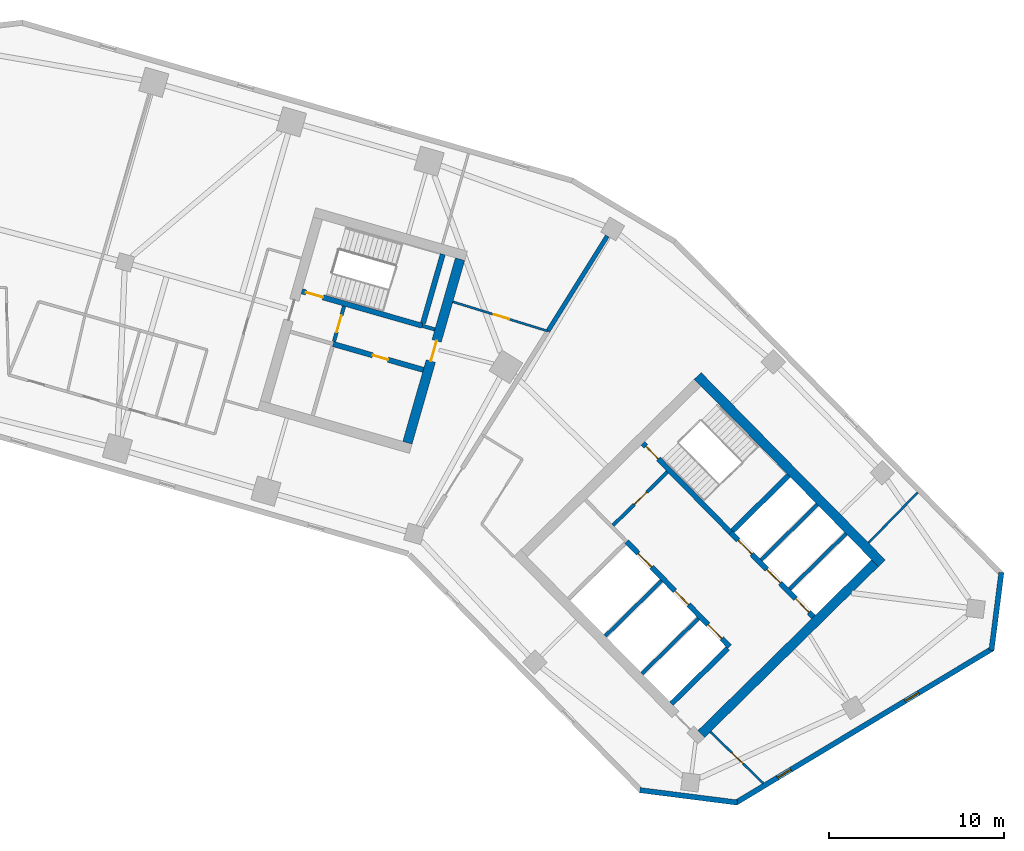
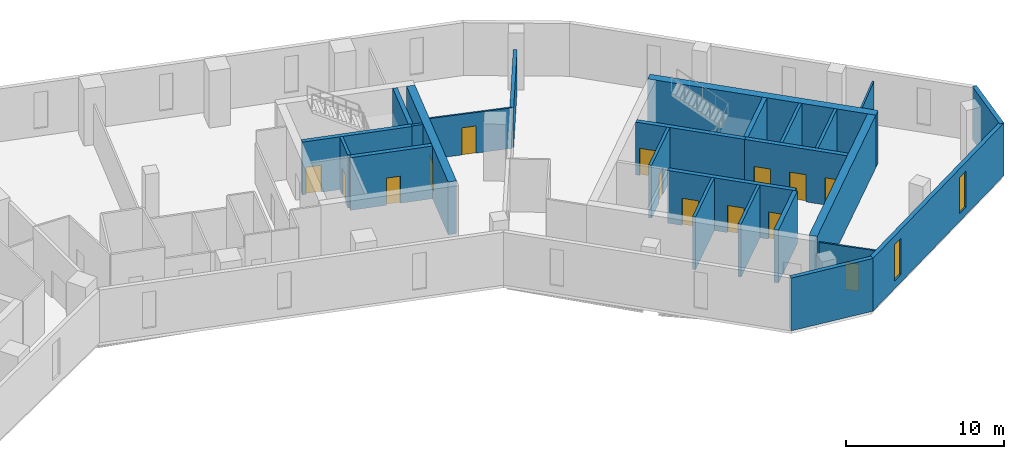
# One storey, part 6 of 10: 25 walls, 14 doors, 2 windows, 16 openings.
"""IFC4 building model written with IfcOpenShell, lengths in metres."""

from ifc_helpers import new_model, si_unit, direction, frame, frame_2d, origin, place, context, subcontext, project, spatial, rectangle, extrude, material, layer, layer_set, type_object, element, fill, save


model = new_model("IFC4")

# Units and contexts
model_context = context("Model", 3, precision=1e-05, world=origin(), true_north=direction((0.0, 1.0)))
body_context = subcontext(model_context, "Body", "Model", "MODEL_VIEW")
ifc_project = project(units=[si_unit("LENGTHUNIT", "METRE"), si_unit("AREAUNIT", "SQUARE_METRE"), si_unit("VOLUMEUNIT", "CUBIC_METRE"), si_unit("PLANEANGLEUNIT", "RADIAN"), si_unit("MASSUNIT", "GRAM", prefix="KILO")], contexts=[model_context])

# Site, building, storey
site_placement = place(None, origin())
site = spatial("IfcSite", under=ifc_project, at=site_placement, CompositionType="ELEMENT")
building_placement = place(site_placement, origin())
building = spatial("IfcBuilding", under=site, at=building_placement, Name="Binnacle Exchange Tower", CompositionType="ELEMENT")
storey_placement = place(building_placement, frame((0.0, 0.0, 110.300048828125)))
storey = spatial("IfcBuildingStorey", under=building, at=storey_placement, Name="L22", CompositionType="ELEMENT", Elevation=110.300048828125)

# Wall, openings, doors
ifc_material_1 = material(Name="Concrete C70/85", Category="concrete")
ifc_layer_1 = layer(ifc_material_1, 0.300048828125)
ifc_layer_set_1 = layer_set([ifc_layer_1], Name="Core wall - front 300")
wall_type_1 = type_object("IfcWallType", Name="Core wall - front 300", PredefinedType="SOLIDWALL", material=ifc_layer_set_1)
wall_1_placement = place(storey_placement, frame((37.8740234375, 41.41552734375, 0.0), z_axis=(0.0, 0.0, 1.0), x_axis=(0.700918271237, -0.71324159795, 0.0)))
wall_1 = element("IfcWall", 1, at=wall_1_placement, inside=storey, type_object=wall_type_1, Name="Core wall CRWB3", PredefinedType="SOLIDWALL", context=body_context, shape_type="SweptSolid", body=[
    extrude(rectangle(XDim=8.39990234375, YDim=0.300048828125, at=frame_2d((4.199951171875, 0.0))), origin(), (0.0, 0.0, 1.0), 4.079833984375),
])
opening_1_placement = place(wall_1_placement, frame((0.949951171875, 0.0, 0.0)))
opening_1 = element("IfcOpeningElement", 2, at=opening_1_placement, cuts=wall_1, Name="Opening LD15", PredefinedType="OPENING", context=body_context, shape_type="SweptSolid", body=[
    extrude(rectangle(XDim=1.10009765625, YDim=2.10009765625, at=frame_2d((0.550048828125, 1.050048828125))), frame((0.0, 0.159912109375, 0.0), z_axis=(0.0, -1.0, 0.0), x_axis=(1.0, 0.0, 0.0)), (0.0, 0.0, 1.0), 0.320068359375),
])
opening_2_placement = place(wall_1_placement, frame((3.949951171875, 0.0, 0.0)))
opening_2 = element("IfcOpeningElement", 3, at=opening_2_placement, cuts=wall_1, Name="Opening LD16", PredefinedType="OPENING", context=body_context, shape_type="SweptSolid", body=[
    extrude(rectangle(XDim=1.10009765625, YDim=2.10009765625, at=frame_2d((0.550048828125, 1.050048828125))), frame((0.0, 0.159912109375, 0.0), z_axis=(0.0, -1.0, 0.0), x_axis=(1.0, 0.0, 0.0)), (0.0, 0.0, 1.0), 0.320068359375),
])
opening_3_placement = place(wall_1_placement, frame((6.64990234375, 0.0, 0.0)))
opening_3 = element("IfcOpeningElement", 4, at=opening_3_placement, cuts=wall_1, Name="Opening LD4", PredefinedType="OPENING", context=body_context, shape_type="SweptSolid", body=[
    extrude(rectangle(XDim=1.10009765625, YDim=2.10009765625, at=frame_2d((0.550048828125, 1.050048828125))), frame((0.0, 0.159912109375, 0.0), z_axis=(0.0, -1.0, 0.0), x_axis=(1.0, 0.0, 0.0)), (0.0, 0.0, 1.0), 0.320068359375),
])
ifc_material_2 = material(Name="Steel door leaf", Category="steel")
door_type_1 = type_object("IfcDoorType", Name="Fire door - lift landing 1100", OperationType="NOTDEFINED", PredefinedType="DOOR", material=ifc_material_2)
door_1_placement = place(opening_1_placement, origin())
door_1 = element("IfcDoor", 5, at=door_1_placement, inside=storey, type_object=door_type_1, Name="Landing door LD15 L22", OperationType="DOUBLE_DOOR_SLIDING", OverallHeight=2.10009765625, OverallWidth=1.10009765625, PredefinedType="DOOR", context=body_context, shape_type="SweptSolid", body=[
    extrude(rectangle(XDim=1.10009765625, YDim=2.10009765625, at=frame_2d((0.550048828125, 1.050048828125))), frame((0.0, 0.02490234375, 0.0), z_axis=(0.0, -1.0, 0.0), x_axis=(1.0, 0.0, 0.0)), (0.0, 0.0, 1.0), 0.050048828125),
])
fill(opening_1, door_1)
door_2_placement = place(opening_2_placement, origin())
door_2 = element("IfcDoor", 6, at=door_2_placement, inside=storey, type_object=door_type_1, Name="Landing door LD16 L22", OperationType="DOUBLE_DOOR_SLIDING", OverallHeight=2.10009765625, OverallWidth=1.10009765625, PredefinedType="DOOR", context=body_context, shape_type="SweptSolid", body=[
    extrude(rectangle(XDim=1.10009765625, YDim=2.10009765625, at=frame_2d((0.550048828125, 1.050048828125))), frame((0.0, 0.02490234375, 0.0), z_axis=(0.0, -1.0, 0.0), x_axis=(1.0, 0.0, 0.0)), (0.0, 0.0, 1.0), 0.050048828125),
])
fill(opening_2, door_2)
door_3_placement = place(opening_3_placement, origin())
door_3 = element("IfcDoor", 7, at=door_3_placement, inside=storey, type_object=door_type_1, Name="Landing door LD4 L22", OperationType="DOUBLE_DOOR_SLIDING", OverallHeight=2.10009765625, OverallWidth=1.10009765625, PredefinedType="DOOR", context=body_context, shape_type="SweptSolid", body=[
    extrude(rectangle(XDim=1.10009765625, YDim=2.10009765625, at=frame_2d((0.550048828125, 1.050048828125))), frame((0.0, 0.02490234375, 0.0), z_axis=(0.0, -1.0, 0.0), x_axis=(1.0, 0.0, 0.0)), (0.0, 0.0, 1.0), 0.050048828125),
])
fill(opening_3, door_3)

wall_2_placement = place(storey_placement, frame((43.818603515625, 41.92919921875, 0.0), z_axis=(0.0, 0.0, 1.0), x_axis=(0.700931209592, -0.713228882912, 0.0)))
wall_2 = element("IfcWall", 8, at=wall_2_placement, inside=storey, type_object=wall_type_1, Name="Core wall CRWB5", PredefinedType="SOLIDWALL", context=body_context, shape_type="SweptSolid", body=[
    extrude(rectangle(XDim=6.75, YDim=0.300048828125, at=frame_2d((3.375, 0.0))), origin(), (0.0, 0.0, 1.0), 4.079833984375),
])
opening_4_placement = place(wall_2_placement, frame((0.614990234375, 0.0, 0.0)))
opening_4 = element("IfcOpeningElement", 9, at=opening_4_placement, cuts=wall_2, Name="Opening LD1", PredefinedType="OPENING", context=body_context, shape_type="SweptSolid", body=[
    extrude(rectangle(XDim=1.10009765625, YDim=2.10009765625, at=frame_2d((0.550048828125, 1.050048828125))), frame((0.0, 0.159912109375, 0.0), z_axis=(0.0, -1.0, 0.0), x_axis=(1.0, 0.0, 0.0)), (0.0, 0.0, 1.0), 0.320068359375),
])
opening_5_placement = place(wall_2_placement, frame((2.945068359375, 0.0, 0.0)))
opening_5 = element("IfcOpeningElement", 10, at=opening_5_placement, cuts=wall_2, Name="Opening LD2", PredefinedType="OPENING", context=body_context, shape_type="SweptSolid", body=[
    extrude(rectangle(XDim=1.10009765625, YDim=2.10009765625, at=frame_2d((0.550048828125, 1.050048828125))), frame((0.0, 0.159912109375, 0.0), z_axis=(0.0, -1.0, 0.0), x_axis=(1.0, 0.0, 0.0)), (0.0, 0.0, 1.0), 0.320068359375),
])
opening_6_placement = place(wall_2_placement, frame((5.280029296875, 0.0, 0.0)))
opening_6 = element("IfcOpeningElement", 11, at=opening_6_placement, cuts=wall_2, Name="Opening LD3", PredefinedType="OPENING", context=body_context, shape_type="SweptSolid", body=[
    extrude(rectangle(XDim=1.10009765625, YDim=2.10009765625, at=frame_2d((0.550048828125, 1.050048828125))), frame((0.0, 0.159912109375, 0.0), z_axis=(0.0, -1.0, 0.0), x_axis=(1.0, 0.0, 0.0)), (0.0, 0.0, 1.0), 0.320068359375),
])
door_4_placement = place(opening_4_placement, origin())
door_4 = element("IfcDoor", 12, at=door_4_placement, inside=storey, type_object=door_type_1, Name="Landing door LD1 L22", OperationType="DOUBLE_DOOR_SLIDING", OverallHeight=2.10009765625, OverallWidth=1.10009765625, PredefinedType="DOOR", context=body_context, shape_type="SweptSolid", body=[
    extrude(rectangle(XDim=1.10009765625, YDim=2.10009765625, at=frame_2d((0.550048828125, 1.050048828125))), frame((0.0, 0.02490234375, 0.0), z_axis=(0.0, -1.0, 0.0), x_axis=(1.0, 0.0, 0.0)), (0.0, 0.0, 1.0), 0.050048828125),
])
fill(opening_4, door_4)
door_5_placement = place(opening_5_placement, origin())
door_5 = element("IfcDoor", 13, at=door_5_placement, inside=storey, type_object=door_type_1, Name="Landing door LD2 L22", OperationType="DOUBLE_DOOR_SLIDING", OverallHeight=2.10009765625, OverallWidth=1.10009765625, PredefinedType="DOOR", context=body_context, shape_type="SweptSolid", body=[
    extrude(rectangle(XDim=1.10009765625, YDim=2.10009765625, at=frame_2d((0.550048828125, 1.050048828125))), frame((0.0, 0.02490234375, 0.0), z_axis=(0.0, -1.0, 0.0), x_axis=(1.0, 0.0, 0.0)), (0.0, 0.0, 1.0), 0.050048828125),
])
fill(opening_5, door_5)
door_6_placement = place(opening_6_placement, origin())
door_6 = element("IfcDoor", 14, at=door_6_placement, inside=storey, type_object=door_type_1, Name="Landing door LD3 L22", OperationType="DOUBLE_DOOR_SLIDING", OverallHeight=2.10009765625, OverallWidth=1.10009765625, PredefinedType="DOOR", context=body_context, shape_type="SweptSolid", body=[
    extrude(rectangle(XDim=1.10009765625, YDim=2.10009765625, at=frame_2d((0.550048828125, 1.050048828125))), frame((0.0, 0.02490234375, 0.0), z_axis=(0.0, -1.0, 0.0), x_axis=(1.0, 0.0, 0.0)), (0.0, 0.0, 1.0), 0.050048828125),
])
fill(opening_6, door_6)

# Wall
wall_3_placement = place(storey_placement, frame((40.445068359375, 32.1650390625, 0.0), z_axis=(0.0, 0.0, 1.0), x_axis=(0.713264577552, 0.700894886848, 0.0)))
element("IfcWall", 15, at=wall_3_placement, inside=storey, type_object=wall_type_1, Name="Core wall CRWB14", PredefinedType="SOLIDWALL", context=body_context, shape_type="SweptSolid", body=[
    extrude(rectangle(XDim=4.5, YDim=0.300048828125, at=frame_2d((2.25, 0.0))), origin(), (0.0, 0.0, 1.0), 4.079833984375),
])

# Wall, opening, door
wall_4_placement = place(storey_placement, frame((21.130859375, 52.6923828125, 0.0), z_axis=(0.0, 0.0, 1.0), x_axis=(0.961265220997, -0.27562506218, 0.0)))
wall_4 = element("IfcWall", 16, at=wall_4_placement, inside=storey, type_object=wall_type_1, Name="Core wall CRWD3", PredefinedType="SOLIDWALL", context=body_context, shape_type="SweptSolid", body=[
    extrude(rectangle(XDim=5.35009765625, YDim=0.300048828125, at=frame_2d((2.675048828125, 0.0))), origin(), (0.0, 0.0, 1.0), 4.079833984375),
])
opening_7_placement = place(wall_4_placement, frame((2.35009765625, 0.0, 0.0)))
opening_7 = element("IfcOpeningElement", 17, at=opening_7_placement, cuts=wall_4, Name="Opening DD10", PredefinedType="OPENING", context=body_context, shape_type="SweptSolid", body=[
    extrude(rectangle(XDim=0.89990234375, YDim=2.10009765625, at=frame_2d((0.449951171875, 1.050048828125))), frame((0.0, 0.159912109375, 0.0), z_axis=(0.0, -1.0, 0.0), x_axis=(1.0, 0.0, 0.0)), (0.0, 0.0, 1.0), 0.320068359375),
])
door_type_2 = type_object("IfcDoorType", Name="Fire door 900", OperationType="NOTDEFINED", PredefinedType="DOOR", material=ifc_material_2)
door_7_placement = place(opening_7_placement, frame((0.89990234375, 0.0, 0.0), z_axis=(0.0, 0.0, 1.0), x_axis=(-1.0, 0.0, 0.0)))
door_7 = element("IfcDoor", 18, at=door_7_placement, inside=storey, type_object=door_type_2, Name="Core room door PANTRY", OperationType="SINGLE_SWING_LEFT", OverallHeight=2.10009765625, OverallWidth=0.89990234375, PredefinedType="DOOR", context=body_context, shape_type="SweptSolid", body=[
    extrude(rectangle(XDim=0.89990234375, YDim=2.10009765625, at=frame_2d((0.449951171875, 1.050048828125))), frame((0.0, 0.02490234375, 0.0), z_axis=(0.0, -1.0, 0.0), x_axis=(1.0, 0.0, 0.0)), (0.0, 0.0, 1.0), 0.050048828125),
])
fill(opening_7, door_7)

# Walls
ifc_layer_2 = layer(ifc_material_1, 0.550048828125)
ifc_layer_set_2 = layer_set([ifc_layer_2], Name="Core wall - outer 550")
wall_type_2 = type_object("IfcWallType", Name="Core wall - outer 550", PredefinedType="SOLIDWALL", material=ifc_layer_set_2)
wall_5_placement = place(storey_placement, frame((41.934326171875, 50.873291015625, 0.0), z_axis=(0.0, 0.0, 1.0), x_axis=(0.700911255944, -0.713248491965, 0.0)))
element("IfcWall", 19, at=wall_5_placement, inside=storey, type_object=wall_type_2, Name="Core wall CRWB6", PredefinedType="SOLIDWALL", context=body_context, shape_type="SweptSolid", body=[
    extrude(rectangle(XDim=15.0, YDim=0.550048828125, at=frame_2d((7.5, 0.0))), origin(), (0.0, 0.0, 1.0), 4.079833984375),
])
wall_6_placement = place(storey_placement, frame((42.144775390625, 30.435302734375, 0.0), z_axis=(0.0, 0.0, 1.0), x_axis=(0.713253550094, 0.700906108746, 0.0)))
element("IfcWall", 20, at=wall_6_placement, inside=storey, type_object=wall_type_2, Name="Core wall CRWB16", PredefinedType="SOLIDWALL", context=body_context, shape_type="SweptSolid", body=[
    extrude(rectangle(XDim=13.900146484375, YDim=0.550048828125, at=frame_2d((6.9501953125, 0.0))), origin(), (0.0, 0.0, 1.0), 4.079833984375),
])

# Wall, opening, door
wall_7_placement = place(storey_placement, frame((25.366455078125, 47.056640625, 0.0), z_axis=(0.0, 0.0, 1.0), x_axis=(0.275632146085, 0.96126318979, 0.0)))
wall_7 = element("IfcWall", 21, at=wall_7_placement, inside=storey, type_object=wall_type_2, Name="Core wall CRWD12", PredefinedType="SOLIDWALL", context=body_context, shape_type="SweptSolid", body=[
    extrude(rectangle(XDim=10.89990234375, YDim=0.550048828125, at=frame_2d((5.449951171875, 0.0))), origin(), (0.0, 0.0, 1.0), 4.079833984375),
])
opening_8_placement = place(wall_7_placement, frame((4.849853515625, 0.0, 0.0)))
opening_8 = element("IfcOpeningElement", 22, at=opening_8_placement, cuts=wall_7, Name="Opening DD6", PredefinedType="OPENING", context=body_context, shape_type="SweptSolid", body=[
    extrude(rectangle(XDim=1.199951171875, YDim=2.10009765625, at=frame_2d((0.60009765625, 1.050048828125))), frame((0.0, 0.284912109375, 0.0), z_axis=(0.0, -1.0, 0.0), x_axis=(1.0, 0.0, 0.0)), (0.0, 0.0, 1.0), 0.570068359375),
])
door_type_3 = type_object("IfcDoorType", Name="Fire door 1200", OperationType="NOTDEFINED", PredefinedType="DOOR", material=ifc_material_2)
door_8_placement = place(opening_8_placement, frame((1.199951171875, 0.0, 0.0), z_axis=(0.0, 0.0, 1.0), x_axis=(-1.0, 0.0, 0.0)))
door_8 = element("IfcDoor", 23, at=door_8_placement, inside=storey, type_object=door_type_3, Name="Core passage exit door", OperationType="SINGLE_SWING_RIGHT", OverallHeight=2.10009765625, OverallWidth=1.199951171875, PredefinedType="DOOR", context=body_context, shape_type="SweptSolid", body=[
    extrude(rectangle(XDim=1.199951171875, YDim=2.10009765625, at=frame_2d((0.60009765625, 1.050048828125))), frame((0.0, 0.02490234375, 0.0), z_axis=(0.0, -1.0, 0.0), x_axis=(1.0, 0.0, 0.0)), (0.0, 0.0, 1.0), 0.050048828125),
])
fill(opening_8, door_8)

ifc_layer_3 = layer(ifc_material_1, 0.300048828125)
ifc_layer_set_3 = layer_set([ifc_layer_3], Name="Core wall - stair 300")
wall_type_3 = type_object("IfcWallType", Name="Core wall - stair 300", PredefinedType="SOLIDWALL", material=ifc_layer_set_3)
wall_8_placement = place(storey_placement, frame((38.806884765625, 47.029052734375, 0.0), z_axis=(0.0, 0.0, 1.0), x_axis=(0.700916852778, -0.713242991898, 0.0)))
wall_8 = element("IfcWall", 24, at=wall_8_placement, inside=storey, type_object=wall_type_3, Name="Core wall CRWB4", PredefinedType="SOLIDWALL", context=body_context, shape_type="SweptSolid", body=[
    extrude(rectangle(XDim=7.150146484375, YDim=0.300048828125, at=frame_2d((3.5751953125, 0.0))), origin(), (0.0, 0.0, 1.0), 4.079833984375),
])
opening_9_placement = place(wall_8_placement, frame((0.25, 0.0, 0.0)))
opening_9 = element("IfcOpeningElement", 25, at=opening_9_placement, cuts=wall_8, Name="Opening DB1", PredefinedType="OPENING", context=body_context, shape_type="SweptSolid", body=[
    extrude(rectangle(XDim=1.0, YDim=2.10009765625, at=frame_2d((0.5, 1.050048828125))), frame((0.0, 0.159912109375, 0.0), z_axis=(0.0, -1.0, 0.0), x_axis=(1.0, 0.0, 0.0)), (0.0, 0.0, 1.0), 0.320068359375),
])
door_type_4 = type_object("IfcDoorType", Name="Fire door 1000", OperationType="NOTDEFINED", PredefinedType="DOOR", material=ifc_material_2)
door_9_placement = place(opening_9_placement, origin())
door_9 = element("IfcDoor", 26, at=door_9_placement, inside=storey, type_object=door_type_4, Name="Stair door ST-B1", OperationType="SINGLE_SWING_LEFT", OverallHeight=2.10009765625, OverallWidth=1.0, PredefinedType="DOOR", context=body_context, shape_type="SweptSolid", body=[
    extrude(rectangle(XDim=1.0, YDim=2.10009765625, at=frame_2d((0.5, 1.050048828125))), frame((0.0, 0.02490234375, 0.0), z_axis=(0.0, -1.0, 0.0), x_axis=(1.0, 0.0, 0.0)), (0.0, 0.0, 1.0), 0.050048828125),
])
fill(opening_9, door_9)

# Wall
wall_9_placement = place(storey_placement, frame((43.925537109375, 42.034423828125, 0.0), z_axis=(0.0, 0.0, 1.0), x_axis=(0.713210801054, 0.700949608217, 0.0)))
element("IfcWall", 27, at=wall_9_placement, inside=storey, type_object=wall_type_3, Name="Core wall CRWB11", PredefinedType="SOLIDWALL", context=body_context, shape_type="SweptSolid", body=[
    extrude(rectangle(XDim=4.5, YDim=0.300048828125, at=frame_2d((2.25, 0.0))), origin(), (0.0, 0.0, 1.0), 4.079833984375),
])

# Wall, opening, door
wall_10_placement = place(storey_placement, frame((19.34130859375, 55.702392578125, 0.0), z_axis=(0.0, 0.0, 1.0), x_axis=(0.961263228157, -0.27563201228, 0.0)))
wall_10 = element("IfcWall", 28, at=wall_10_placement, inside=storey, type_object=wall_type_3, Name="Core wall CRWD4", PredefinedType="SOLIDWALL", context=body_context, shape_type="SweptSolid", body=[
    extrude(rectangle(XDim=7.149658203125, YDim=0.300048828125, at=frame_2d((3.57470703125, 0.0))), origin(), (0.0, 0.0, 1.0), 4.079833984375),
])
opening_10_placement = place(wall_10_placement, frame((0.25, 0.0, 0.0)))
opening_10 = element("IfcOpeningElement", 29, at=opening_10_placement, cuts=wall_10, Name="Opening DD1", PredefinedType="OPENING", context=body_context, shape_type="SweptSolid", body=[
    extrude(rectangle(XDim=1.0, YDim=2.10009765625, at=frame_2d((0.5, 1.050048828125))), frame((0.0, 0.159912109375, 0.0), z_axis=(0.0, -1.0, 0.0), x_axis=(1.0, 0.0, 0.0)), (0.0, 0.0, 1.0), 0.320068359375),
])
door_10_placement = place(opening_10_placement, origin())
door_10 = element("IfcDoor", 30, at=door_10_placement, inside=storey, type_object=door_type_4, Name="Stair door ST-D1", OperationType="SINGLE_SWING_LEFT", OverallHeight=2.10009765625, OverallWidth=1.0, PredefinedType="DOOR", context=body_context, shape_type="SweptSolid", body=[
    extrude(rectangle(XDim=1.0, YDim=2.10009765625, at=frame_2d((0.5, 1.050048828125))), frame((0.0, 0.02490234375, 0.0), z_axis=(0.0, -1.0, 0.0), x_axis=(1.0, 0.0, 0.0)), (0.0, 0.0, 1.0), 0.050048828125),
])
fill(opening_10, door_10)

# Walls
wall_11_placement = place(storey_placement, frame((26.255615234375, 53.875732421875, 0.0), z_axis=(0.0, 0.0, 1.0), x_axis=(0.275641165445, 0.961260603537, 0.0)))
element("IfcWall", 31, at=wall_11_placement, inside=storey, type_object=wall_type_3, Name="Core wall CRWD11", PredefinedType="SOLIDWALL", context=body_context, shape_type="SweptSolid", body=[
    extrude(rectangle(XDim=4.10009765625, YDim=0.300048828125, at=frame_2d((2.050048828125, 0.0))), origin(), (0.0, 0.0, 1.0), 4.079833984375),
])
ifc_material_3 = material(Name="Bronze aluminium cladding", Category="aluminium")
ifc_layer_4 = layer(ifc_material_3, 0.300048828125)
ifc_layer_set_4 = layer_set([ifc_layer_4], Name="External wall - spandrel 300")
wall_type_4 = type_object("IfcWallType", Name="External wall - spandrel 300", PredefinedType="STANDARD", material=ifc_layer_set_4)
wall_12_placement = place(storey_placement, frame((44.19580078125, 26.517822265625, 0.0), z_axis=(0.0, 0.0, 1.0), x_axis=(-0.992001881269, 0.126223086474, 0.0)))
element("IfcWall", 32, at=wall_12_placement, inside=storey, type_object=wall_type_4, Name="External wall EW-F10 L22", PredefinedType="STANDARD", context=body_context, shape_type="SweptSolid", body=[
    extrude(rectangle(XDim=5.6015625, YDim=0.300048828125, at=frame_2d((2.80078125, 0.0))), origin(), (0.0, 0.0, 1.0), 4.079833984375),
])

# Wall, openings, windows
wall_13_placement = place(storey_placement, frame((58.7783203125, 35.317626953125, 0.0), z_axis=(0.0, 0.0, 1.0), x_axis=(-0.857168206138, -0.515036568009, 0.0)))
wall_13 = element("IfcWall", 33, at=wall_13_placement, inside=storey, type_object=wall_type_4, Name="External wall EW-F11 L22", PredefinedType="STANDARD", context=body_context, shape_type="SweptSolid", body=[
    extrude(rectangle(XDim=17.124755859375, YDim=0.300048828125, at=frame_2d((8.5625, 0.0))), origin(), (0.0, 0.0, 1.0), 4.079833984375),
])
opening_11_placement = place(wall_13_placement, frame((13.435302734375, 0.0, 0.60009765625)))
opening_11 = element("IfcOpeningElement", 34, at=opening_11_placement, cuts=wall_13, Name="Opening WS2", PredefinedType="OPENING", context=body_context, shape_type="SweptSolid", body=[
    extrude(rectangle(XDim=0.89990234375, YDim=2.800048828125, at=frame_2d((0.449951171875, 1.39990234375))), frame((0.0, 0.159912109375, 0.0), z_axis=(0.0, -1.0, 0.0), x_axis=(1.0, 0.0, 0.0)), (0.0, 0.0, 1.0), 0.320068359375),
])
opening_12_placement = place(wall_13_placement, frame((4.935302734375, 0.0, 0.60009765625)))
opening_12 = element("IfcOpeningElement", 35, at=opening_12_placement, cuts=wall_13, Name="Opening WS2", PredefinedType="OPENING", context=body_context, shape_type="SweptSolid", body=[
    extrude(rectangle(XDim=0.89990234375, YDim=2.800048828125, at=frame_2d((0.449951171875, 1.39990234375))), frame((0.0, 0.159912109375, 0.0), z_axis=(0.0, -1.0, 0.0), x_axis=(1.0, 0.0, 0.0)), (0.0, 0.0, 1.0), 0.320068359375),
])
ifc_material_4 = material(Name="Bronze anodised aluminium frame", Category="aluminium")
window_type = type_object("IfcWindowType", Name="WS2 WINDOW 900x2800", PartitioningType="SINGLE_PANEL", PredefinedType="WINDOW", material=ifc_material_4)
window_1_placement = place(opening_11_placement, origin())
window_1 = element("IfcWindow", 36, at=window_1_placement, inside=storey, type_object=window_type, Name="Window WS2 L22", OverallHeight=2.800048828125, OverallWidth=0.89990234375, PartitioningType="SINGLE_PANEL", PredefinedType="WINDOW", context=body_context, shape_type="SweptSolid", body=[
    extrude(rectangle(XDim=0.89990234375, YDim=2.800048828125, at=frame_2d((0.449951171875, 1.39990234375))), frame((0.0, 0.030029296875, 0.0), z_axis=(0.0, -1.0, 0.0), x_axis=(1.0, 0.0, 0.0)), (0.0, 0.0, 1.0), 0.06005859375),
])
fill(opening_11, window_1)
window_2_placement = place(opening_12_placement, origin())
window_2 = element("IfcWindow", 37, at=window_2_placement, inside=storey, type_object=window_type, Name="Window WS2 L22", OverallHeight=2.800048828125, OverallWidth=0.89990234375, PartitioningType="SINGLE_PANEL", PredefinedType="WINDOW", context=body_context, shape_type="SweptSolid", body=[
    extrude(rectangle(XDim=0.89990234375, YDim=2.800048828125, at=frame_2d((0.449951171875, 1.39990234375))), frame((0.0, 0.030029296875, 0.0), z_axis=(0.0, -1.0, 0.0), x_axis=(1.0, 0.0, 0.0)), (0.0, 0.0, 1.0), 0.06005859375),
])
fill(opening_12, window_2)

# Walls
wall_14_placement = place(storey_placement, frame((59.27197265625, 39.6513671875, 0.0), z_axis=(0.0, 0.0, 1.0), x_axis=(-0.126181137886, -0.992007217938, 0.0)))
element("IfcWall", 38, at=wall_14_placement, inside=storey, type_object=wall_type_4, Name="External wall EW-F12 L22", PredefinedType="STANDARD", context=body_context, shape_type="SweptSolid", body=[
    extrude(rectangle(XDim=4.479248046875, YDim=0.300048828125, at=frame_2d((2.23974609375, 0.0))), origin(), (0.0, 0.0, 1.0), 4.079833984375),
])
ifc_material_5 = material(Name="Concrete fire wall C30/37", Category="concrete")
ifc_layer_5 = layer(ifc_material_5, 0.25)
ifc_layer_set_5 = layer_set([ifc_layer_5], Name="Fire wall - compartment 250")
wall_type_5 = type_object("IfcWallType", Name="Fire wall - compartment 250", PredefinedType="PARTITIONING", material=ifc_layer_set_5)
wall_15_placement = place(storey_placement, frame((33.385009765625, 53.427001953125, 0.0), z_axis=(0.0, 0.0, 1.0), x_axis=(0.52989620904, 0.848062502204, 0.0)))
element("IfcWall", 39, at=wall_15_placement, inside=storey, type_object=wall_type_5, Name="Fire Wall W39", PredefinedType="PARTITIONING", context=body_context, shape_type="SweptSolid", body=[
    extrude(rectangle(XDim=6.40869140625, YDim=0.25, at=frame_2d((3.204345703125, 0.0))), origin(), (0.0, 0.0, 1.0), 3.141845703125),
])

# Wall, opening, door
ifc_material_6 = material(Name="Masonry block wall", Category="masonry")
ifc_layer_6 = layer(ifc_material_6, 0.199951171875)
ifc_layer_set_6 = layer_set([ifc_layer_6], Name="Fire wall - vestibule 200")
wall_type_6 = type_object("IfcWallType", Name="Fire wall - vestibule 200", PredefinedType="PARTITIONING", material=ifc_layer_set_6)
wall_16_placement = place(storey_placement, frame((37.104248046875, 42.341552734375, 0.0), z_axis=(0.0, 0.0, 1.0), x_axis=(0.713281298468, 0.700877870428, 0.0)))
wall_16 = element("IfcWall", 40, at=wall_16_placement, inside=storey, type_object=wall_type_6, Name="Core wall CRWB8", PredefinedType="PARTITIONING", context=body_context, shape_type="SweptSolid", body=[
    extrude(rectangle(XDim=4.35009765625, YDim=0.199951171875, at=frame_2d((2.175048828125, 0.0))), origin(), (0.0, 0.0, 1.0), 4.079833984375),
])
opening_13_placement = place(wall_16_placement, frame((1.699951171875, 0.0, 0.0)))
opening_13 = element("IfcOpeningElement", 41, at=opening_13_placement, cuts=wall_16, Name="Opening DB3", PredefinedType="OPENING", context=body_context, shape_type="SweptSolid", body=[
    extrude(rectangle(XDim=1.0, YDim=2.10009765625, at=frame_2d((0.5, 1.050048828125))), frame((0.0, 0.10986328125, 0.0), z_axis=(0.0, -1.0, 0.0), x_axis=(1.0, 0.0, 0.0)), (0.0, 0.0, 1.0), 0.219970703125),
])
door_11_placement = place(opening_13_placement, origin())
door_11 = element("IfcDoor", 42, at=door_11_placement, inside=storey, type_object=door_type_4, Name="Vestibule door VEST-W", OperationType="SINGLE_SWING_RIGHT", OverallHeight=2.10009765625, OverallWidth=1.0, PredefinedType="DOOR", context=body_context, shape_type="SweptSolid", body=[
    extrude(rectangle(XDim=1.0, YDim=2.10009765625, at=frame_2d((0.5, 1.050048828125))), frame((0.0, 0.02490234375, 0.0), z_axis=(0.0, -1.0, 0.0), x_axis=(1.0, 0.0, 0.0)), (0.0, 0.0, 1.0), 0.050048828125),
])
fill(opening_13, door_11)

wall_17_placement = place(storey_placement, frame((21.172119140625, 52.836669921875, 0.0), z_axis=(0.0, 0.0, 1.0), x_axis=(0.275657676022, 0.961255868981, 0.0)))
wall_17 = element("IfcWall", 43, at=wall_17_placement, inside=storey, type_object=wall_type_6, Name="Core wall CRWD9", PredefinedType="PARTITIONING", context=body_context, shape_type="SweptSolid", body=[
    extrude(rectangle(XDim=2.099853515625, YDim=0.199951171875, at=frame_2d((1.0498046875, 0.0))), origin(), (0.0, 0.0, 1.0), 4.079833984375),
])
opening_14_placement = place(wall_17_placement, frame((0.550048828125, 0.0, 0.0)))
opening_14 = element("IfcOpeningElement", 44, at=opening_14_placement, cuts=wall_17, Name="Opening DD3", PredefinedType="OPENING", context=body_context, shape_type="SweptSolid", body=[
    extrude(rectangle(XDim=1.0, YDim=2.10009765625, at=frame_2d((0.5, 1.050048828125))), frame((0.0, 0.10986328125, 0.0), z_axis=(0.0, -1.0, 0.0), x_axis=(1.0, 0.0, 0.0)), (0.0, 0.0, 1.0), 0.219970703125),
])
door_12_placement = place(opening_14_placement, origin())
door_12 = element("IfcDoor", 45, at=door_12_placement, inside=storey, type_object=door_type_4, Name="Vestibule door VEST-W", OperationType="SINGLE_SWING_RIGHT", OverallHeight=2.10009765625, OverallWidth=1.0, PredefinedType="DOOR", context=body_context, shape_type="SweptSolid", body=[
    extrude(rectangle(XDim=1.0, YDim=2.10009765625, at=frame_2d((0.5, 1.050048828125))), frame((0.0, 0.02490234375, 0.0), z_axis=(0.0, -1.0, 0.0), x_axis=(1.0, 0.0, 0.0)), (0.0, 0.0, 1.0), 0.050048828125),
])
fill(opening_14, door_12)

ifc_material_7 = material(Name="Gypsum partition")
ifc_layer_7 = layer(ifc_material_7, 0.125)
ifc_layer_set_7 = layer_set([ifc_layer_7], Name="Partition 125")
wall_type_7 = type_object("IfcWallType", Name="Partition 125", PredefinedType="PARTITIONING", material=ifc_layer_set_7)
wall_18_placement = place(storey_placement, frame((27.9599609375, 55.10302734375, 0.0), z_axis=(0.0, 0.0, 1.0), x_axis=(0.955442775069, -0.29517639399, 0.0)))
wall_18 = element("IfcWall", 46, at=wall_18_placement, inside=storey, type_object=wall_type_7, Name="Partition W34", PredefinedType="PARTITIONING", context=body_context, shape_type="SweptSolid", body=[
    extrude(rectangle(XDim=5.677978515625, YDim=0.125, at=frame_2d((2.8388671875, 0.0))), origin(), (0.0, 0.0, 1.0), 3.141845703125),
])
opening_15_placement = place(wall_18_placement, frame((2.449951171875, 0.0, 0.0)))
opening_15 = element("IfcOpeningElement", 47, at=opening_15_placement, cuts=wall_18, Name="Opening DL22-09", PredefinedType="OPENING", context=body_context, shape_type="SweptSolid", body=[
    extrude(rectangle(XDim=0.89990234375, YDim=2.10009765625, at=frame_2d((0.449951171875, 1.050048828125))), frame((0.0, 0.072509765625, 0.0), z_axis=(0.0, -1.0, 0.0), x_axis=(1.0, 0.0, 0.0)), (0.0, 0.0, 1.0), 0.14501953125),
])
ifc_material_8 = material(Name="Timber door leaf", Category="wood")
door_type_5 = type_object("IfcDoorType", Name="Door 900", OperationType="NOTDEFINED", PredefinedType="DOOR", material=ifc_material_8)
door_13_placement = place(opening_15_placement, origin())
door_13 = element("IfcDoor", 48, at=door_13_placement, inside=storey, type_object=door_type_5, Name="Door DL22-09", OperationType="SINGLE_SWING_RIGHT", OverallHeight=2.10009765625, OverallWidth=0.89990234375, PredefinedType="DOOR", context=body_context, shape_type="SweptSolid", body=[
    extrude(rectangle(XDim=0.89990234375, YDim=2.10009765625, at=frame_2d((0.449951171875, 1.050048828125))), frame((0.0, 0.02490234375, 0.0), z_axis=(0.0, -1.0, 0.0), x_axis=(1.0, 0.0, 0.0)), (0.0, 0.0, 1.0), 0.050048828125),
])
fill(opening_15, door_13)

wall_19_placement = place(storey_placement, frame((42.658935546875, 30.554931640625, 0.0), z_axis=(0.0, 0.0, 1.0), x_axis=(0.716925671772, -0.697149611743, 0.0)))
wall_19 = element("IfcWall", 49, at=wall_19_placement, inside=storey, type_object=wall_type_7, Name="Partition W40", PredefinedType="PARTITIONING", context=body_context, shape_type="SweptSolid", body=[
    extrude(rectangle(XDim=4.209716796875, YDim=0.125, at=frame_2d((2.10498046875, 0.0))), origin(), (0.0, 0.0, 1.0), 3.35205078125),
])
opening_16_placement = place(wall_19_placement, frame((1.699951171875, 0.0, 0.0)))
opening_16 = element("IfcOpeningElement", 50, at=opening_16_placement, cuts=wall_19, Name="Opening DL22-11", PredefinedType="OPENING", context=body_context, shape_type="SweptSolid", body=[
    extrude(rectangle(XDim=0.89990234375, YDim=2.10009765625, at=frame_2d((0.449951171875, 1.050048828125))), frame((0.0, 0.072509765625, 0.0), z_axis=(0.0, -1.0, 0.0), x_axis=(1.0, 0.0, 0.0)), (0.0, 0.0, 1.0), 0.14501953125),
])
door_14_placement = place(opening_16_placement, origin())
door_14 = element("IfcDoor", 51, at=door_14_placement, inside=storey, type_object=door_type_5, Name="Door DL22-11", OperationType="SINGLE_SWING_RIGHT", OverallHeight=2.10009765625, OverallWidth=0.89990234375, PredefinedType="DOOR", context=body_context, shape_type="SweptSolid", body=[
    extrude(rectangle(XDim=0.89990234375, YDim=2.10009765625, at=frame_2d((0.449951171875, 1.050048828125))), frame((0.0, 0.02490234375, 0.0), z_axis=(0.0, -1.0, 0.0), x_axis=(1.0, 0.0, 0.0)), (0.0, 0.0, 1.0), 0.050048828125),
])
fill(opening_16, door_14)

# Walls
wall_20_placement = place(storey_placement, frame((51.68798828125, 41.340087890625, 0.0), z_axis=(0.0, 0.0, 1.0), x_axis=(0.698090794369, 0.716009247718, 0.0)))
element("IfcWall", 52, at=wall_20_placement, inside=storey, type_object=wall_type_7, Name="Partition W41", PredefinedType="PARTITIONING", context=body_context, shape_type="SweptSolid", body=[
    extrude(rectangle(XDim=4.019287109375, YDim=0.125, at=frame_2d((2.009765625, 0.0))), origin(), (0.0, 0.0, 1.0), 3.35986328125),
])
ifc_layer_8 = layer(ifc_material_6, 0.199951171875)
ifc_layer_set_8 = layer_set([ifc_layer_8], Name="Riser wall 200")
wall_type_8 = type_object("IfcWallType", Name="Riser wall 200", PredefinedType="SOLIDWALL", material=ifc_layer_set_8)
wall_21_placement = place(storey_placement, frame((26.214111328125, 53.731689453125, 0.0), z_axis=(0.0, 0.0, 1.0), x_axis=(0.961240918172, -0.275709806194, 0.0)))
element("IfcWall", 53, at=wall_21_placement, inside=storey, type_object=wall_type_8, Name="Core wall CRWD5", PredefinedType="SOLIDWALL", context=body_context, shape_type="SweptSolid", body=[
    extrude(rectangle(XDim=0.75, YDim=0.199951171875, at=frame_2d((0.375, 0.0))), origin(), (0.0, 0.0, 1.0), 4.079833984375),
])
ifc_layer_9 = layer(ifc_material_6, 0.199951171875)
ifc_layer_set_9 = layer_set([ifc_layer_9], Name="Shaft wall 200")
wall_type_9 = type_object("IfcWallType", Name="Shaft wall 200", PredefinedType="SOLIDWALL", material=ifc_layer_set_9)
wall_22_placement = place(storey_placement, frame((36.66015625, 36.0166015625, 0.0), z_axis=(0.0, 0.0, 1.0), x_axis=(0.713264577552, 0.700894886848, 0.0)))
element("IfcWall", 54, at=wall_22_placement, inside=storey, type_object=wall_type_9, Name="Core wall CRWB10", PredefinedType="SOLIDWALL", context=body_context, shape_type="SweptSolid", body=[
    extrude(rectangle(XDim=4.5, YDim=0.199951171875, at=frame_2d((2.25, 0.0))), origin(), (0.0, 0.0, 1.0), 4.079833984375),
])
wall_23_placement = place(storey_placement, frame((38.762939453125, 33.876708984375, 0.0), z_axis=(0.0, 0.0, 1.0), x_axis=(0.713237455685, 0.700922486305, 0.0)))
element("IfcWall", 55, at=wall_23_placement, inside=storey, type_object=wall_type_9, Name="Core wall CRWB12", PredefinedType="SOLIDWALL", context=body_context, shape_type="SweptSolid", body=[
    extrude(rectangle(XDim=4.500244140625, YDim=0.199951171875, at=frame_2d((2.25, 0.0))), origin(), (0.0, 0.0, 1.0), 4.079833984375),
])
for number, where, z_axis, x_axis, name in (
    (56, (45.55859375, 40.37255859375, 0.0), (0.0, 0.0, 1.0), (0.713264577552, 0.700894886848, 0.0), "Core wall CRWB13"),
    (57, (47.191650390625, 38.710693359375, 0.0), (0.0, 0.0, 1.0), (0.713264577552, 0.700894886848, 0.0), "Core wall CRWB15"),
):
    element("IfcWall", number, at=place(storey_placement, frame(where, z_axis=z_axis, x_axis=x_axis)), inside=storey, type_object=wall_type_9, Name=name, PredefinedType="SOLIDWALL", context=body_context, shape_type="SweptSolid", body=[
        extrude(rectangle(XDim=4.5, YDim=0.199951171875, at=frame_2d((2.25, 0.0))), origin(), (0.0, 0.0, 1.0), 4.079833984375),
    ])

save(model, "model.ifc")
